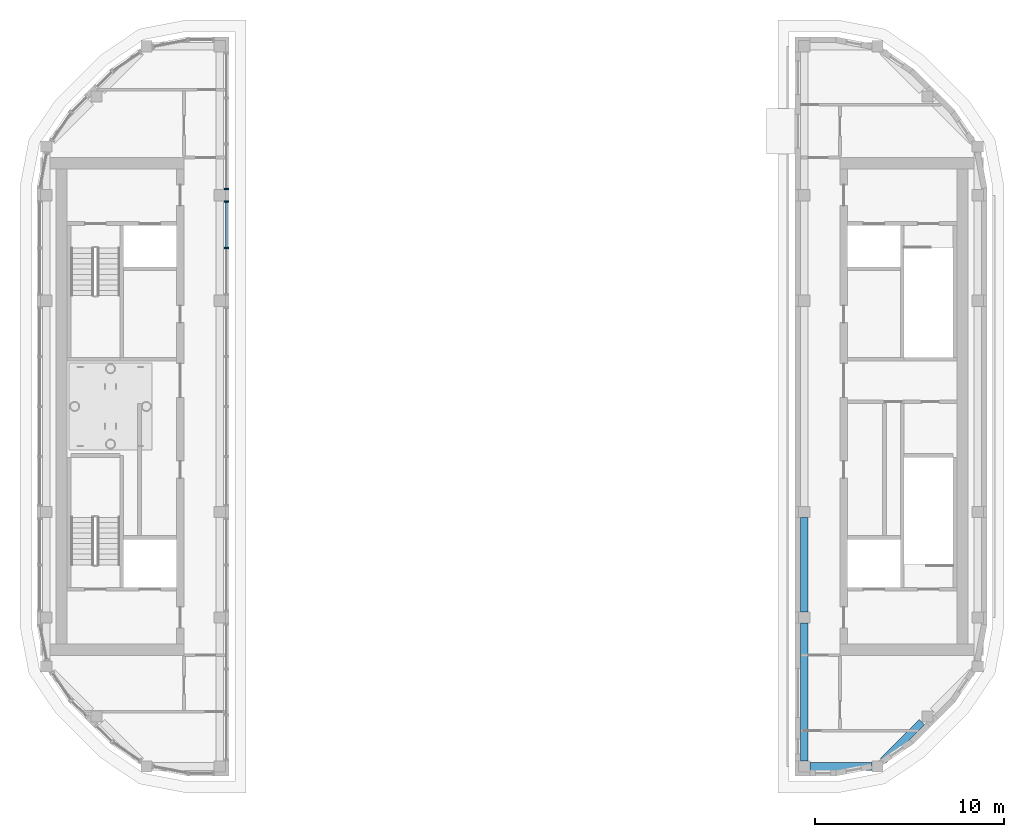
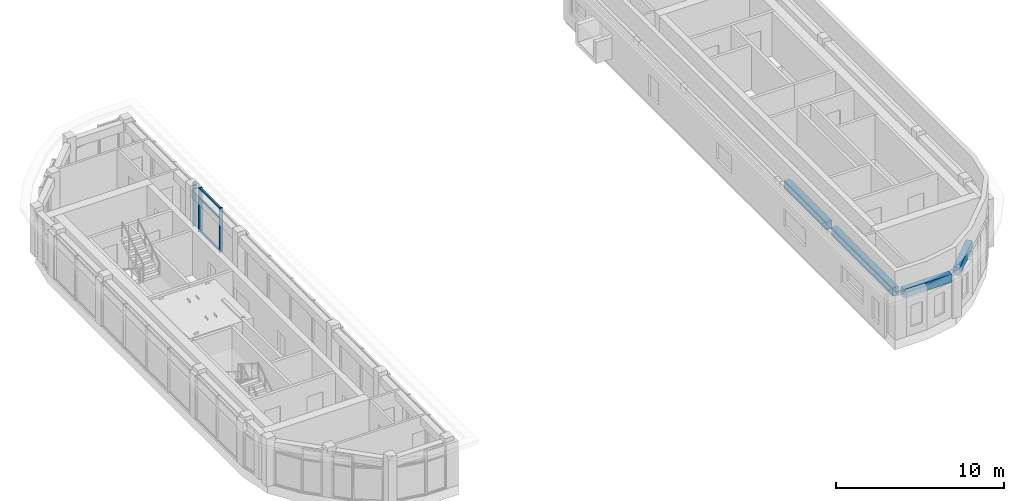
# One storey, part 4 of 16: 6 members, 4 beams, 2 elements without a shape of their own.
"""IFC4 building model written with IfcOpenShell, lengths in metres."""

from ifc_helpers import new_model, si_unit, direction, frame, origin, origin_2d, place, context, subcontext, project, spatial, rectangle, extrude, material, layer, layer_set, material_profile, profile_set, type_object, element, aggregate, save


model = new_model("IFC4")

# Units and contexts
model_context = context("Model", 3, precision=1e-05, world=origin(), true_north=direction((0.0, 1.0)))
body_context = subcontext(model_context, "Body", "Model", "MODEL_VIEW")
ifc_project = project(units=[si_unit("LENGTHUNIT", "METRE"), si_unit("AREAUNIT", "SQUARE_METRE"), si_unit("VOLUMEUNIT", "CUBIC_METRE"), si_unit("PLANEANGLEUNIT", "RADIAN"), si_unit("MASSUNIT", "GRAM", prefix="KILO")], contexts=[model_context])

# Site, building, storey
site_placement = place(None, origin())
site = spatial("IfcSite", under=ifc_project, at=site_placement, CompositionType="ELEMENT")
building_placement = place(site_placement, origin())
building = spatial("IfcBuilding", under=site, at=building_placement, Name="Kiln Ring Residences", CompositionType="ELEMENT")
storey_placement = place(building_placement, frame((0.0, 0.0, 313.89990234375)))
storey = spatial("IfcBuildingStorey", under=building, at=storey_placement, Name="L81 Crown", CompositionType="ELEMENT", Elevation=313.89990234375)

# Curtain wall, members
ifc_material_1 = material(Name="Aluminium and glass", Category="aluminium")
ifc_layer = layer(ifc_material_1, 0.25)
ifc_layer_set = layer_set([ifc_layer], Name="CW4 CURTAIN WALL")
curtain_wall_type = type_object("IfcCurtainWallType", Name="CW4 CURTAIN WALL", PredefinedType="NOTDEFINED", material=ifc_layer_set)
placement = place(storey_placement, origin())
curtain_wall_1 = element("IfcCurtainWall", 1, at=placement, inside=storey, type_object=curtain_wall_type, Name="Curtain wall CW4 L81 Crown", PredefinedType="NOTDEFINED")
ifc_material_2 = material(Name="Aluminium 6063-T6", Category="aluminium")
ifc_material_profile_1 = material_profile(ifc_material_2, rectangle(XDim=0.25, YDim=0.080078125, at=origin_2d()), Name="AL 250x80")
ifc_profile_set_1 = profile_set([ifc_material_profile_1], Name="Aluminium 6063-T6")
member_type_1 = type_object("IfcMemberType", Name="CW4 MULLION 250 x 80", PredefinedType="MULLION", material=ifc_profile_set_1)
member_1_placement = place(storey_placement, frame((-15.14990234375, 8.39990234375, 0.0), z_axis=(0.0, 0.0, 1.0), x_axis=(-1.0, 0.0, 0.0)))
member_1 = element("IfcMember", 2, at=member_1_placement, type_object=member_type_1, Name="CW4 mullion 2", PredefinedType="MULLION", context=body_context, shape_type="SweptSolid", body=[
    extrude(rectangle(XDim=0.25, YDim=0.080078125, at=origin_2d()), origin(), (0.0, 0.0, 1.0), 3.2001953125),
])
member_2_placement = place(storey_placement, frame((-15.14990234375, 10.860107421875, 0.0), z_axis=(0.0, 0.0, 1.0), x_axis=(-1.0, 0.0, 0.0)))
member_2 = element("IfcMember", 3, at=member_2_placement, type_object=member_type_1, Name="CW4 mullion 3", PredefinedType="MULLION", context=body_context, shape_type="SweptSolid", body=[
    extrude(rectangle(XDim=0.25, YDim=0.080078125, at=origin_2d()), origin(), (0.0, 0.0, 1.0), 3.2001953125),
])

# Curtain wall, member
curtain_wall_2 = element("IfcCurtainWall", 4, at=placement, inside=storey, type_object=curtain_wall_type, Name="Curtain wall CW4 L81 Crown", PredefinedType="NOTDEFINED")
member_3_placement = place(storey_placement, frame((-15.14990234375, 11.5400390625, 0.0), z_axis=(0.0, 0.0, 1.0), x_axis=(-1.0, 0.0, 0.0)))
member_3 = element("IfcMember", 5, at=member_3_placement, type_object=member_type_1, Name="CW4 mullion 1", PredefinedType="MULLION", context=body_context, shape_type="SweptSolid", body=[
    extrude(rectangle(XDim=0.25, YDim=0.080078125, at=origin_2d()), origin(), (0.0, 0.0, 1.0), 3.2001953125),
])
aggregate(curtain_wall_2, [member_3])

# Member
ifc_material_3 = material(Name="Aluminium 6063-T6", Category="aluminium")
ifc_material_profile_2 = material_profile(ifc_material_3, rectangle(XDim=0.139892578125, YDim=0.080078125, at=origin_2d()), Name="AL 140x80")
ifc_profile_set_2 = profile_set([ifc_material_profile_2], Name="Aluminium 6063-T6")
member_type_2 = type_object("IfcMemberType", Name="CW4 TRANSOM 140 x 80", PredefinedType="USERDEFINED", material=ifc_profile_set_2)
member_4_placement = place(storey_placement, frame((-15.14990234375, 8.43994140625, 0.0400390625), z_axis=(0.0, 1.0, 0.0), x_axis=(-1.0, 0.0, 0.0)))
member_4 = element("IfcMember", 6, at=member_4_placement, type_object=member_type_2, Name="CW4 transom 2.1", ObjectType="TRANSOM", PredefinedType="USERDEFINED", context=body_context, shape_type="SweptSolid", body=[
    extrude(rectangle(XDim=0.139892578125, YDim=0.080078125, at=origin_2d()), origin(), (0.0, 0.0, 1.0), 2.380126953125),
])

member_5_placement = place(storey_placement, frame((-15.14990234375, 8.43994140625, 2.400146484375), z_axis=(0.0, 1.0, 0.0), x_axis=(-1.0, 0.0, 0.0)))
member_5 = element("IfcMember", 7, at=member_5_placement, type_object=member_type_2, Name="CW4 transom 2.2", ObjectType="TRANSOM", PredefinedType="USERDEFINED", context=body_context, shape_type="SweptSolid", body=[
    extrude(rectangle(XDim=0.139892578125, YDim=0.080078125, at=origin_2d()), origin(), (0.0, 0.0, 1.0), 2.380126953125),
])

member_6_placement = place(storey_placement, frame((-15.14990234375, 8.43994140625, 3.16015625), z_axis=(0.0, 1.0, 0.0), x_axis=(-1.0, 0.0, 0.0)))
member_6 = element("IfcMember", 8, at=member_6_placement, type_object=member_type_2, Name="CW4 transom 2.3", ObjectType="TRANSOM", PredefinedType="USERDEFINED", context=body_context, shape_type="SweptSolid", body=[
    extrude(rectangle(XDim=0.139892578125, YDim=0.080078125, at=origin_2d()), origin(), (0.0, 0.0, 1.0), 2.380126953125),
])

aggregate(curtain_wall_1, [member_1, member_2, member_4, member_5, member_6])

# Beams
ifc_material_4 = material(Name="Concrete C50/60", Category="concrete")
ifc_material_profile_3 = material_profile(ifc_material_4, rectangle(XDim=0.39990234375, YDim=0.60009765625, at=origin_2d()), Name="RC400x600")
ifc_profile_set_3 = profile_set([ifc_material_profile_3], Name="Concrete C50/60")
beam_type = type_object("IfcBeamType", Name="Spandrel beam RC400x600 C50/60", PredefinedType="SPANDREL", material=ifc_profile_set_3)
beam_1_placement = place(storey_placement, frame((15.5, -5.89990234375, 2.900146484375), z_axis=(0.0, -1.0, 0.0), x_axis=(1.0, 0.0, 0.0)))
element("IfcBeam", 9, at=beam_1_placement, inside=storey, type_object=beam_type, Name="Spandrel beam L81 Crown 17", PredefinedType="SPANDREL", context=body_context, shape_type="SweptSolid", body=[
    extrude(rectangle(XDim=0.39990234375, YDim=0.60009765625, at=origin_2d()), origin(), (0.0, 0.0, 1.0), 5.0),
])
beam_2_placement = place(storey_placement, frame((15.5, -11.5, 2.900146484375), z_axis=(0.0, -1.0, 0.0), x_axis=(1.0, 0.0, 0.0)))
element("IfcBeam", 10, at=beam_2_placement, inside=storey, type_object=beam_type, Name="Spandrel beam L81 Crown 18", PredefinedType="SPANDREL", context=body_context, shape_type="SweptSolid", body=[
    extrude(rectangle(XDim=0.39990234375, YDim=0.60009765625, at=origin_2d()), origin(), (0.0, 0.0, 1.0), 7.300048828125),
])
beam_3_placement = place(storey_placement, frame((15.800048828125, -19.10009765625, 2.900146484375), z_axis=(1.0, 0.0, 0.0), x_axis=(0.0, 1.0, 0.0)))
element("IfcBeam", 11, at=beam_3_placement, inside=storey, type_object=beam_type, Name="Spandrel beam L81 Crown 19", PredefinedType="SPANDREL", context=body_context, shape_type="SweptSolid", body=[
    extrude(rectangle(XDim=0.39990234375, YDim=0.60009765625, at=origin_2d()), origin(), (0.0, 0.0, 1.0), 3.29296875),
])
beam_4_placement = place(storey_placement, frame((19.69287109375, -18.800048828125, 2.900146484375), z_axis=(0.707064747792, 0.707148812083, 0.0), x_axis=(-0.707148812083, 0.707064747792, 0.0)))
element("IfcBeam", 12, at=beam_4_placement, inside=storey, type_object=beam_type, Name="Spandrel beam L81 Crown 20", PredefinedType="SPANDREL", context=body_context, shape_type="SweptSolid", body=[
    extrude(rectangle(XDim=0.39990234375, YDim=0.60009765625, at=origin_2d()), origin(), (0.0, 0.0, 1.0), 2.904296875),
])

save(model, "model.ifc")
